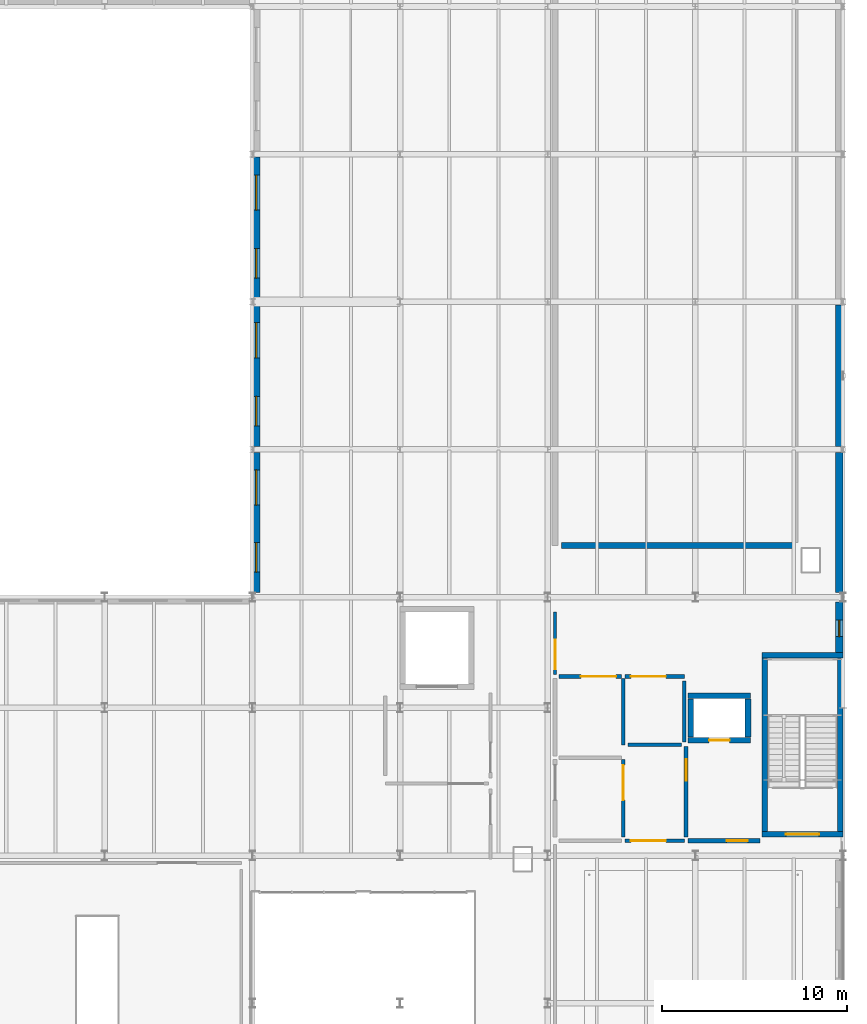
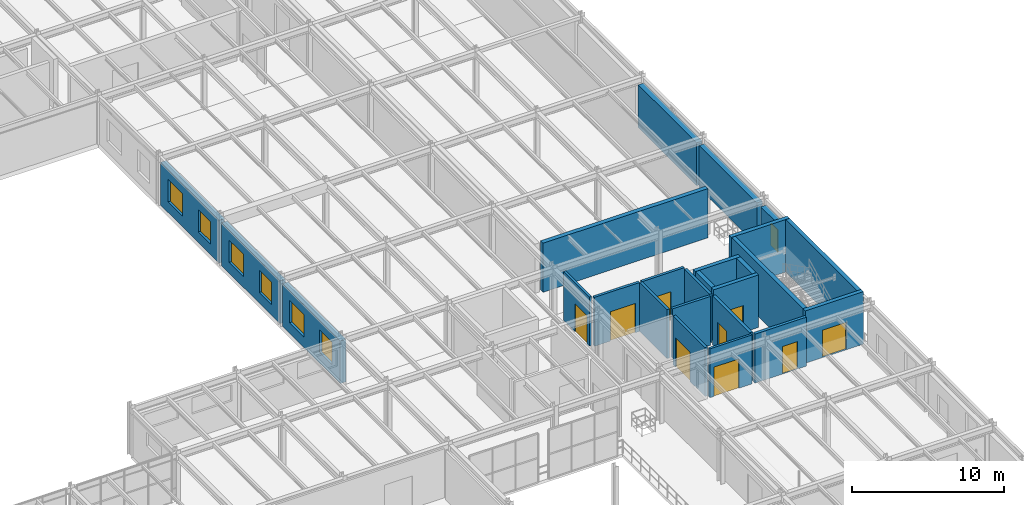
# One storey, part 90 of 122: 25 walls, 9 doors, 7 windows, 16 openings.
"""IFC4 building model written with IfcOpenShell, lengths in metres."""

from ifc_helpers import new_model, si_unit, direction, frame, frame_2d, origin, place, context, subcontext, project, spatial, rectangle, extrude, material, layer, layer_set, type_object, element, fill, save


model = new_model("IFC4")

# Units and contexts
model_context = context("Model", 3, precision=1e-05, world=origin(), true_north=direction((0.0, 1.0)))
body_context = subcontext(model_context, "Body", "Model", "MODEL_VIEW")
ifc_project = project(units=[si_unit("LENGTHUNIT", "METRE"), si_unit("AREAUNIT", "SQUARE_METRE"), si_unit("VOLUMEUNIT", "CUBIC_METRE"), si_unit("PLANEANGLEUNIT", "RADIAN"), si_unit("MASSUNIT", "GRAM", prefix="KILO")], contexts=[model_context])

# Site, building, storey
site_placement = place(None, origin())
site = spatial("IfcSite", under=ifc_project, at=site_placement, CompositionType="ELEMENT")
building_placement = place(site_placement, origin())
building = spatial("IfcBuilding", under=site, at=building_placement, Name="Sundkrona Museum", CompositionType="ELEMENT")
storey_placement = place(building_placement, frame((0.0, 0.0, 5.39990234375)))
storey = spatial("IfcBuildingStorey", under=building, at=storey_placement, Name="L01", CompositionType="ELEMENT", Elevation=5.39990234375)

# Wall
ifc_material_1 = material(Name="Concrete C40/50", Category="concrete")
ifc_layer_1 = layer(ifc_material_1, 0.330078125)
ifc_layer_set_1 = layer_set([ifc_layer_1], Name="Concrete C40/50")
wall_type_1 = type_object("IfcWallType", Name="W-ARC-120", PredefinedType="SOLIDWALL", material=ifc_layer_set_1)
wall_1_placement = place(storey_placement, frame((152.75, 48.800048828125, 0.0), z_axis=(0.0, 0.0, 1.0), x_axis=(1.0, 0.0, 0.0)))
element("IfcWall", 1, at=wall_1_placement, inside=storey, type_object=wall_type_1, Name="L01 Rare Book Collection Storage Enclosure Wall S", PredefinedType="SOLIDWALL", context=body_context, shape_type="SweptSolid", body=[
    extrude(rectangle(XDim=12.5, YDim=0.330078125, at=frame_2d((6.25, 0.0))), origin(), (0.0, 0.0, 1.0), 3.940185546875),
])

# Wall, opening, door
ifc_layer_2 = layer(ifc_material_1, 0.300048828125)
ifc_layer_set_2 = layer_set([ifc_layer_2], Name="Concrete C40/50")
wall_type_2 = type_object("IfcWallType", Name="W-CORE-300", PredefinedType="SHEAR", material=ifc_layer_set_2)
wall_2_placement = place(storey_placement, frame((163.60009765625, 33.14990234375, 0.0), z_axis=(0.0, 0.0, 1.0), x_axis=(1.0, 0.0, 0.0)))
wall_2 = element("IfcWall", 2, at=wall_2_placement, inside=storey, type_object=wall_type_2, Name="L01 ST-1 Core Shear Wall South", PredefinedType="SHEAR", context=body_context, shape_type="SweptSolid", body=[
    extrude(rectangle(XDim=4.39990234375, YDim=0.300048828125, at=frame_2d((2.199951171875, 0.0))), origin(), (0.0, 0.0, 1.0), 4.2001953125),
])
opening_1_placement = place(wall_2_placement, frame((1.300048828125, 0.0, 0.0)))
opening_1 = element("IfcOpeningElement", 3, at=opening_1_placement, cuts=wall_2, Name="Opening D-FD60", PredefinedType="OPENING", context=body_context, shape_type="SweptSolid", body=[
    extrude(rectangle(XDim=1.800048828125, YDim=2.199951171875, at=frame_2d((0.89990234375, 1.10009765625))), frame((0.0, 0.159912109375, 0.0), z_axis=(0.0, -1.0, 0.0), x_axis=(1.0, 0.0, 0.0)), (0.0, 0.0, 1.0), 0.320068359375),
])
ifc_material_2 = material(Name="Steel S355J2 Fire Door Leaf", Category="steel")
door_type_1 = type_object("IfcDoorType", Name="D-FD60", OperationType="DOUBLE_DOOR_SINGLE_SWING", PredefinedType="DOOR", material=ifc_material_2)
door_1_placement = place(opening_1_placement, origin())
door_1 = element("IfcDoor", 4, at=door_1_placement, inside=storey, type_object=door_type_1, Name="L01 ST-1 Protected Escape Stair Door DR-ST-1-L01", OperationType="DOUBLE_DOOR_SINGLE_SWING", OverallHeight=2.199951171875, OverallWidth=1.800048828125, PredefinedType="DOOR", context=body_context, shape_type="SweptSolid", body=[
    extrude(rectangle(XDim=1.800048828125, YDim=2.199951171875, at=frame_2d((0.89990234375, 1.10009765625))), frame((0.0, 0.02490234375, 0.0), z_axis=(0.0, -1.0, 0.0), x_axis=(1.0, 0.0, 0.0)), (0.0, 0.0, 1.0), 0.050048828125),
])
fill(opening_1, door_1)

# Walls
wall_3_placement = place(storey_placement, frame((163.60009765625, 42.85009765625, 0.0), z_axis=(0.0, 0.0, 1.0), x_axis=(1.0, 0.0, 0.0)))
element("IfcWall", 5, at=wall_3_placement, inside=storey, type_object=wall_type_2, Name="L01 ST-1 Core Shear Wall North", PredefinedType="SHEAR", context=body_context, shape_type="SweptSolid", body=[
    extrude(rectangle(XDim=4.39990234375, YDim=0.300048828125, at=frame_2d((2.199951171875, 0.0))), origin(), (0.0, 0.0, 1.0), 4.2001953125),
])
for number, where, z_axis, x_axis, name in (
    (6, (163.75, 33.31005859375, 0.0), (0.0, 0.0, 1.0), (0.0, 1.0, 0.0), "L01 ST-1 Core Shear Wall West"),
    (7, (167.85009765625, 33.31005859375, 0.0), (0.0, 0.0, 1.0), (0.0, 1.0, 0.0), "L01 ST-1 Core Shear Wall East"),
):
    element("IfcWall", number, at=place(storey_placement, frame(where, z_axis=z_axis, x_axis=x_axis)), inside=storey, type_object=wall_type_2, Name=name, PredefinedType="SHEAR", context=body_context, shape_type="SweptSolid", body=[
        extrude(rectangle(XDim=9.3798828125, YDim=0.300048828125, at=frame_2d((4.68994140625, 0.0))), origin(), (0.0, 0.0, 1.0), 4.2001953125),
    ])

# Wall, opening, door
wall_4_placement = place(storey_placement, frame((159.60009765625, 38.25, 0.0), z_axis=(0.0, 0.0, 1.0), x_axis=(1.0, 0.0, 0.0)))
wall_4 = element("IfcWall", 8, at=wall_4_placement, inside=storey, type_object=wall_type_2, Name="L01 PL-1 Lift Shaft Wall South", PredefinedType="SHEAR", context=body_context, shape_type="SweptSolid", body=[
    extrude(rectangle(XDim=3.39990234375, YDim=0.300048828125, at=frame_2d((1.699951171875, 0.0))), origin(), (0.0, 0.0, 1.0), 4.2001953125),
])
opening_2_placement = place(wall_4_placement, frame((1.14990234375, 0.0, 0.0)))
opening_2 = element("IfcOpeningElement", 9, at=opening_2_placement, cuts=wall_4, Name="Opening LD-01", PredefinedType="OPENING", context=body_context, shape_type="SweptSolid", body=[
    extrude(rectangle(XDim=1.10009765625, YDim=2.14990234375, at=frame_2d((0.550048828125, 1.074951171875))), frame((0.0, 0.159912109375, 0.0), z_axis=(0.0, -1.0, 0.0), x_axis=(1.0, 0.0, 0.0)), (0.0, 0.0, 1.0), 0.320068359375),
])
ifc_material_3 = material(Name="Brushed Stainless Steel Lift Door", Category="steel")
door_type_2 = type_object("IfcDoorType", Name="LD-01", OperationType="SLIDING_TO_LEFT", PredefinedType="DOOR", material=ifc_material_3)
door_2_placement = place(opening_2_placement, origin())
door_2 = element("IfcDoor", 10, at=door_2_placement, inside=storey, type_object=door_type_2, Name="L01 Firefighters Passenger Lift PL-1 Landing Door DR-LIFT-PL-1-L01", OperationType="SLIDING_TO_LEFT", OverallHeight=2.14990234375, OverallWidth=1.10009765625, PredefinedType="DOOR", context=body_context, shape_type="SweptSolid", body=[
    extrude(rectangle(XDim=1.10009765625, YDim=2.14990234375, at=frame_2d((0.550048828125, 1.074951171875))), frame((0.0, 0.02490234375, 0.0), z_axis=(0.0, -1.0, 0.0), x_axis=(1.0, 0.0, 0.0)), (0.0, 0.0, 1.0), 0.050048828125),
])
fill(opening_2, door_2)

# Walls
wall_5_placement = place(storey_placement, frame((159.60009765625, 40.64990234375, 0.0), z_axis=(0.0, 0.0, 1.0), x_axis=(1.0, 0.0, 0.0)))
element("IfcWall", 11, at=wall_5_placement, inside=storey, type_object=wall_type_2, Name="L01 PL-1 Lift Shaft Wall North", PredefinedType="SHEAR", context=body_context, shape_type="SweptSolid", body=[
    extrude(rectangle(XDim=3.39990234375, YDim=0.300048828125, at=frame_2d((1.699951171875, 0.0))), origin(), (0.0, 0.0, 1.0), 4.2001953125),
])
for number, where, z_axis, x_axis, name in (
    (12, (159.75, 38.409912109375, 0.0), (0.0, 0.0, 1.0), (0.0, 1.0, 0.0), "L01 PL-1 Lift Shaft Wall West"),
    (13, (162.85009765625, 38.409912109375, 0.0), (0.0, 0.0, 1.0), (0.0, 1.0, 0.0), "L01 PL-1 Lift Shaft Wall East"),
):
    element("IfcWall", number, at=place(storey_placement, frame(where, z_axis=z_axis, x_axis=x_axis)), inside=storey, type_object=wall_type_2, Name=name, PredefinedType="SHEAR", context=body_context, shape_type="SweptSolid", body=[
        extrude(rectangle(XDim=2.080078125, YDim=0.300048828125, at=frame_2d((1.0400390625, 0.0))), origin(), (0.0, 0.0, 1.0), 4.2001953125),
    ])

# Wall, opening, window
ifc_material_4 = material(Name="Scanian Polychrome Clay Brickwork 420 mm", Category="masonry")
ifc_layer_3 = layer(ifc_material_4, 0.419921875)
ifc_layer_set_3 = layer_set([ifc_layer_3], Name="Scanian Polychrome Clay Brickwork 420 mm")
wall_type_3 = type_object("IfcWallType", Name="W-EX-420", PredefinedType="SOLIDWALL", material=ifc_layer_set_3)
wall_6_placement = place(storey_placement, frame((167.7900390625, 45.748046875, 0.0), z_axis=(0.0, 0.0, 1.0), x_axis=(0.0, -1.0, 0.0)))
wall_6 = element("IfcWall", 14, at=wall_6_placement, inside=storey, type_object=wall_type_3, Name="L01 Facade Wall 0021", PredefinedType="SOLIDWALL", context=body_context, shape_type="SweptSolid", body=[
    extrude(rectangle(XDim=2.887939453125, YDim=0.419921875, at=frame_2d((1.44384765625, 0.0))), origin(), (0.0, 0.0, 1.0), 3.4150390625),
])
opening_3_placement = place(wall_6_placement, frame((0.993896484375, 0.0, 0.85009765625)))
opening_3 = element("IfcOpeningElement", 15, at=opening_3_placement, cuts=wall_6, Name="Opening WN-ST-090x180", PredefinedType="OPENING", context=body_context, shape_type="SweptSolid", body=[
    extrude(rectangle(XDim=0.89990234375, YDim=1.800048828125, at=frame_2d((0.449951171875, 0.89990234375))), frame((0.0, 0.219970703125, 0.0), z_axis=(0.0, -1.0, 0.0), x_axis=(1.0, 0.0, 0.0)), (0.0, 0.0, 1.0), 0.43994140625),
])
ifc_material_5 = material(Name="Triple Low-E Argon Glazing in Bronze-Anodised Aluminium", Category="aluminium")
window_type_1 = type_object("IfcWindowType", Name="WN-ST-090x180", PartitioningType="SINGLE_PANEL", PredefinedType="WINDOW", material=ifc_material_5)
window_1_placement = place(opening_3_placement, origin())
window_1 = element("IfcWindow", 16, at=window_1_placement, inside=storey, type_object=window_type_1, Name="L01 Stair-core avenue daylight slot window 900x1800 WIN-L01-0025", OverallHeight=1.800048828125, OverallWidth=0.89990234375, PartitioningType="SINGLE_PANEL", PredefinedType="WINDOW", context=body_context, shape_type="SweptSolid", body=[
    extrude(rectangle(XDim=0.89990234375, YDim=1.800048828125, at=frame_2d((0.449951171875, 0.89990234375))), frame((0.0, 0.030029296875, 0.0), z_axis=(0.0, -1.0, 0.0), x_axis=(1.0, 0.0, 0.0)), (0.0, 0.0, 1.0), 0.06005859375),
])
fill(opening_3, window_1)

# Wall, openings, windows
wall_7_placement = place(storey_placement, frame((136.2099609375, 46.251953125, 0.0), z_axis=(0.0, 0.0, 1.0), x_axis=(0.0, 1.0, 0.0)))
wall_7 = element("IfcWall", 17, at=wall_7_placement, inside=storey, type_object=wall_type_3, Name="L01 Facade Wall 0287", PredefinedType="SOLIDWALL", context=body_context, shape_type="SweptSolid", body=[
    extrude(rectangle(XDim=7.5859375, YDim=0.419921875, at=frame_2d((3.79296875, 0.0))), origin(), (0.0, 0.0, 1.0), 3.4150390625),
])
opening_4_placement = place(wall_7_placement, frame((1.096435546875, 0.0, 0.85009765625)))
opening_4 = element("IfcOpeningElement", 18, at=opening_4_placement, cuts=wall_7, Name="Opening WN-LB-160x180", PredefinedType="OPENING", context=body_context, shape_type="SweptSolid", body=[
    extrude(rectangle(XDim=1.60009765625, YDim=1.800048828125, at=frame_2d((0.800048828125, 0.89990234375))), frame((0.0, 0.219970703125, 0.0), z_axis=(0.0, -1.0, 0.0), x_axis=(1.0, 0.0, 0.0)), (0.0, 0.0, 1.0), 0.43994140625),
])
opening_5_placement = place(wall_7_placement, frame((4.739501953125, 0.0, 0.85009765625)))
opening_5 = element("IfcOpeningElement", 19, at=opening_5_placement, cuts=wall_7, Name="Opening WN-LB-190x180", PredefinedType="OPENING", context=body_context, shape_type="SweptSolid", body=[
    extrude(rectangle(XDim=1.89990234375, YDim=1.800048828125, at=frame_2d((0.949951171875, 0.89990234375))), frame((0.0, 0.219970703125, 0.0), z_axis=(0.0, -1.0, 0.0), x_axis=(1.0, 0.0, 0.0)), (0.0, 0.0, 1.0), 0.43994140625),
])
window_type_2 = type_object("IfcWindowType", Name="WN-LB-160x180", PartitioningType="DOUBLE_PANEL_VERTICAL", PredefinedType="WINDOW", material=ifc_material_5)
window_2_placement = place(opening_4_placement, origin())
window_2 = element("IfcWindow", 20, at=window_2_placement, inside=storey, type_object=window_type_2, Name="L01 Conservation laboratory deep-reveal window 1600x1800 WIN-L01-0388", OverallHeight=1.800048828125, OverallWidth=1.60009765625, PartitioningType="DOUBLE_PANEL_VERTICAL", PredefinedType="WINDOW", context=body_context, shape_type="SweptSolid", body=[
    extrude(rectangle(XDim=1.60009765625, YDim=1.800048828125, at=frame_2d((0.800048828125, 0.89990234375))), frame((0.0, 0.030029296875, 0.0), z_axis=(0.0, -1.0, 0.0), x_axis=(1.0, 0.0, 0.0)), (0.0, 0.0, 1.0), 0.06005859375),
])
fill(opening_4, window_2)
window_type_3 = type_object("IfcWindowType", Name="WN-LB-190x180", PartitioningType="DOUBLE_PANEL_VERTICAL", PredefinedType="WINDOW", material=ifc_material_5)
window_3_placement = place(opening_5_placement, origin())
window_3 = element("IfcWindow", 21, at=window_3_placement, inside=storey, type_object=window_type_3, Name="L01 Analytical studio bench-height window 1900x1800 WIN-L01-0389", OverallHeight=1.800048828125, OverallWidth=1.89990234375, PartitioningType="DOUBLE_PANEL_VERTICAL", PredefinedType="WINDOW", context=body_context, shape_type="SweptSolid", body=[
    extrude(rectangle(XDim=1.89990234375, YDim=1.800048828125, at=frame_2d((0.949951171875, 0.89990234375))), frame((0.0, 0.030029296875, 0.0), z_axis=(0.0, -1.0, 0.0), x_axis=(1.0, 0.0, 0.0)), (0.0, 0.0, 1.0), 0.06005859375),
])
fill(opening_5, window_3)

wall_8_placement = place(storey_placement, frame((136.2099609375, 54.162109375, 0.0), z_axis=(0.0, 0.0, 1.0), x_axis=(0.0, 1.0, 0.0)))
wall_8 = element("IfcWall", 22, at=wall_8_placement, inside=storey, type_object=wall_type_3, Name="L01 Facade Wall 0288", PredefinedType="SOLIDWALL", context=body_context, shape_type="SweptSolid", body=[
    extrude(rectangle(XDim=7.67578125, YDim=0.419921875, at=frame_2d((3.837890625, 0.0))), origin(), (0.0, 0.0, 1.0), 3.43505859375),
])
opening_6_placement = place(wall_8_placement, frame((1.118896484375, 0.0, 0.85009765625)))
opening_6 = element("IfcOpeningElement", 23, at=opening_6_placement, cuts=wall_8, Name="Opening WN-LB-160x180", PredefinedType="OPENING", context=body_context, shape_type="SweptSolid", body=[
    extrude(rectangle(XDim=1.60009765625, YDim=1.800048828125, at=frame_2d((0.800048828125, 0.89990234375))), frame((0.0, 0.219970703125, 0.0), z_axis=(0.0, -1.0, 0.0), x_axis=(1.0, 0.0, 0.0)), (0.0, 0.0, 1.0), 0.43994140625),
])
opening_7_placement = place(wall_8_placement, frame((4.806884765625, 0.0, 0.85009765625)))
opening_7 = element("IfcOpeningElement", 24, at=opening_7_placement, cuts=wall_8, Name="Opening WN-LB-190x180", PredefinedType="OPENING", context=body_context, shape_type="SweptSolid", body=[
    extrude(rectangle(XDim=1.89990234375, YDim=1.800048828125, at=frame_2d((0.949951171875, 0.89990234375))), frame((0.0, 0.219970703125, 0.0), z_axis=(0.0, -1.0, 0.0), x_axis=(1.0, 0.0, 0.0)), (0.0, 0.0, 1.0), 0.43994140625),
])
window_4_placement = place(opening_6_placement, origin())
window_4 = element("IfcWindow", 25, at=window_4_placement, inside=storey, type_object=window_type_2, Name="L01 Conservation laboratory deep-reveal window 1600x1800 WIN-L01-0390", OverallHeight=1.800048828125, OverallWidth=1.60009765625, PartitioningType="DOUBLE_PANEL_VERTICAL", PredefinedType="WINDOW", context=body_context, shape_type="SweptSolid", body=[
    extrude(rectangle(XDim=1.60009765625, YDim=1.800048828125, at=frame_2d((0.800048828125, 0.89990234375))), frame((0.0, 0.030029296875, 0.0), z_axis=(0.0, -1.0, 0.0), x_axis=(1.0, 0.0, 0.0)), (0.0, 0.0, 1.0), 0.06005859375),
])
fill(opening_6, window_4)
window_5_placement = place(opening_7_placement, origin())
window_5 = element("IfcWindow", 26, at=window_5_placement, inside=storey, type_object=window_type_3, Name="L01 Analytical studio bench-height window 1900x1800 WIN-L01-0391", OverallHeight=1.800048828125, OverallWidth=1.89990234375, PartitioningType="DOUBLE_PANEL_VERTICAL", PredefinedType="WINDOW", context=body_context, shape_type="SweptSolid", body=[
    extrude(rectangle(XDim=1.89990234375, YDim=1.800048828125, at=frame_2d((0.949951171875, 0.89990234375))), frame((0.0, 0.030029296875, 0.0), z_axis=(0.0, -1.0, 0.0), x_axis=(1.0, 0.0, 0.0)), (0.0, 0.0, 1.0), 0.06005859375),
])
fill(opening_7, window_5)

wall_9_placement = place(storey_placement, frame((136.2099609375, 62.162109375, 0.0), z_axis=(0.0, 0.0, 1.0), x_axis=(0.0, 1.0, 0.0)))
wall_9 = element("IfcWall", 27, at=wall_9_placement, inside=storey, type_object=wall_type_3, Name="L01 Facade Wall 0289", PredefinedType="SOLIDWALL", context=body_context, shape_type="SweptSolid", body=[
    extrude(rectangle(XDim=7.67578125, YDim=0.419921875, at=frame_2d((3.837890625, 0.0))), origin(), (0.0, 0.0, 1.0), 3.43505859375),
])
opening_8_placement = place(wall_9_placement, frame((1.118896484375, 0.0, 0.85009765625)))
opening_8 = element("IfcOpeningElement", 28, at=opening_8_placement, cuts=wall_9, Name="Opening WN-LB-160x180", PredefinedType="OPENING", context=body_context, shape_type="SweptSolid", body=[
    extrude(rectangle(XDim=1.60009765625, YDim=1.800048828125, at=frame_2d((0.800048828125, 0.89990234375))), frame((0.0, 0.219970703125, 0.0), z_axis=(0.0, -1.0, 0.0), x_axis=(1.0, 0.0, 0.0)), (0.0, 0.0, 1.0), 0.43994140625),
])
opening_9_placement = place(wall_9_placement, frame((4.806884765625, 0.0, 0.85009765625)))
opening_9 = element("IfcOpeningElement", 29, at=opening_9_placement, cuts=wall_9, Name="Opening WN-LB-190x180", PredefinedType="OPENING", context=body_context, shape_type="SweptSolid", body=[
    extrude(rectangle(XDim=1.89990234375, YDim=1.800048828125, at=frame_2d((0.949951171875, 0.89990234375))), frame((0.0, 0.219970703125, 0.0), z_axis=(0.0, -1.0, 0.0), x_axis=(1.0, 0.0, 0.0)), (0.0, 0.0, 1.0), 0.43994140625),
])
window_6_placement = place(opening_8_placement, origin())
window_6 = element("IfcWindow", 30, at=window_6_placement, inside=storey, type_object=window_type_2, Name="L01 Conservation laboratory deep-reveal window 1600x1800 WIN-L01-0392", OverallHeight=1.800048828125, OverallWidth=1.60009765625, PartitioningType="DOUBLE_PANEL_VERTICAL", PredefinedType="WINDOW", context=body_context, shape_type="SweptSolid", body=[
    extrude(rectangle(XDim=1.60009765625, YDim=1.800048828125, at=frame_2d((0.800048828125, 0.89990234375))), frame((0.0, 0.030029296875, 0.0), z_axis=(0.0, -1.0, 0.0), x_axis=(1.0, 0.0, 0.0)), (0.0, 0.0, 1.0), 0.06005859375),
])
fill(opening_8, window_6)
window_7_placement = place(opening_9_placement, origin())
window_7 = element("IfcWindow", 31, at=window_7_placement, inside=storey, type_object=window_type_3, Name="L01 Analytical studio bench-height window 1900x1800 WIN-L01-0393", OverallHeight=1.800048828125, OverallWidth=1.89990234375, PartitioningType="DOUBLE_PANEL_VERTICAL", PredefinedType="WINDOW", context=body_context, shape_type="SweptSolid", body=[
    extrude(rectangle(XDim=1.89990234375, YDim=1.800048828125, at=frame_2d((0.949951171875, 0.89990234375))), frame((0.0, 0.030029296875, 0.0), z_axis=(0.0, -1.0, 0.0), x_axis=(1.0, 0.0, 0.0)), (0.0, 0.0, 1.0), 0.06005859375),
])
fill(opening_9, window_7)

# Walls
wall_10_placement = place(storey_placement, frame((167.7900390625, 53.837890625, 0.0), z_axis=(0.0, 0.0, 1.0), x_axis=(0.0, -1.0, 0.0)))
element("IfcWall", 32, at=wall_10_placement, inside=storey, type_object=wall_type_3, Name="L01 Facade Wall 0331", PredefinedType="SOLIDWALL", context=body_context, shape_type="SweptSolid", body=[
    extrude(rectangle(XDim=7.5859375, YDim=0.419921875, at=frame_2d((3.79296875, 0.0))), origin(), (0.0, 0.0, 1.0), 3.4150390625),
])
wall_11_placement = place(storey_placement, frame((167.7900390625, 61.837890625, 0.0), z_axis=(0.0, 0.0, 1.0), x_axis=(0.0, -1.0, 0.0)))
element("IfcWall", 33, at=wall_11_placement, inside=storey, type_object=wall_type_3, Name="L01 Facade Wall 0332", PredefinedType="SOLIDWALL", context=body_context, shape_type="SweptSolid", body=[
    extrude(rectangle(XDim=7.67578125, YDim=0.419921875, at=frame_2d((3.837890625, 0.0))), origin(), (0.0, 0.0, 1.0), 3.43505859375),
])

# Wall, opening, door
ifc_material_6 = material(Name="Autoclaved Aerated Masonry 225 mm", Category="masonry")
ifc_layer_4 = layer(ifc_material_6, 0.22509765625)
ifc_layer_set_4 = layer_set([ifc_layer_4], Name="Autoclaved Aerated Masonry 225 mm")
wall_type_4 = type_object("IfcWallType", Name="W-FF-225", PredefinedType="SOLIDWALL", material=ifc_layer_set_4)
wall_12_placement = place(storey_placement, frame((159.5, 33.0, 0.0), z_axis=(0.0, 0.0, 1.0), x_axis=(0.0, 1.0, 0.0)))
wall_12 = element("IfcWall", 34, at=wall_12_placement, inside=storey, type_object=wall_type_4, Name="L01 Partition Firefighting Lobby / Core 1 Level 01 Link", PredefinedType="SOLIDWALL", context=body_context, shape_type="SweptSolid", body=[
    extrude(rectangle(XDim=4.89990234375, YDim=0.22509765625, at=frame_2d((2.449951171875, 0.0))), origin(), (0.0, 0.0, 1.0), 3.920166015625),
])
opening_10_placement = place(wall_12_placement, frame((3.05615234375, 0.0, 0.0)))
opening_10 = element("IfcOpeningElement", 35, at=opening_10_placement, cuts=wall_12, Name="Opening D-FF60", PredefinedType="OPENING", context=body_context, shape_type="SweptSolid", body=[
    extrude(rectangle(XDim=1.14990234375, YDim=2.199951171875, at=frame_2d((0.574951171875, 1.10009765625))), frame((0.0, 0.12255859375, 0.0), z_axis=(0.0, -1.0, 0.0), x_axis=(1.0, 0.0, 0.0)), (0.0, 0.0, 1.0), 0.2451171875),
])
door_type_3 = type_object("IfcDoorType", Name="D-FF60", OperationType="NOTDEFINED", PredefinedType="DOOR", material=ifc_material_2)
door_3_placement = place(opening_10_placement, origin())
door_3 = element("IfcDoor", 36, at=door_3_placement, inside=storey, type_object=door_type_3, Name="L01 Interior Door DR-ADJ-L01-0072", OperationType="SINGLE_SWING_RIGHT", OverallHeight=2.199951171875, OverallWidth=1.14990234375, PredefinedType="DOOR", context=body_context, shape_type="SweptSolid", body=[
    extrude(rectangle(XDim=1.14990234375, YDim=2.199951171875, at=frame_2d((0.574951171875, 1.10009765625))), frame((0.0, 0.02490234375, 0.0), z_axis=(0.0, -1.0, 0.0), x_axis=(1.0, 0.0, 0.0)), (0.0, 0.0, 1.0), 0.050048828125),
])
fill(opening_10, door_3)

wall_13_placement = place(storey_placement, frame((159.60009765625, 32.800048828125, 0.0), z_axis=(0.0, 0.0, 1.0), x_axis=(1.0, 0.0, 0.0)))
wall_13 = element("IfcWall", 37, at=wall_13_placement, inside=storey, type_object=wall_type_4, Name="L01 Partition Firefighting Lobby / Amber and Fossil Mezzanine Gallery", PredefinedType="SOLIDWALL", context=body_context, shape_type="SweptSolid", body=[
    extrude(rectangle(XDim=3.89990234375, YDim=0.22509765625, at=frame_2d((1.949951171875, 0.0))), origin(), (0.0, 0.0, 1.0), 3.920166015625),
])
opening_11_placement = place(wall_13_placement, frame((2.091796875, 0.0, 0.0)))
opening_11 = element("IfcOpeningElement", 38, at=opening_11_placement, cuts=wall_13, Name="Opening D-FF60", PredefinedType="OPENING", context=body_context, shape_type="SweptSolid", body=[
    extrude(rectangle(XDim=1.14990234375, YDim=2.199951171875, at=frame_2d((0.574951171875, 1.10009765625))), frame((0.0, 0.12255859375, 0.0), z_axis=(0.0, -1.0, 0.0), x_axis=(1.0, 0.0, 0.0)), (0.0, 0.0, 1.0), 0.2451171875),
])
door_4_placement = place(opening_11_placement, origin())
door_4 = element("IfcDoor", 39, at=door_4_placement, inside=storey, type_object=door_type_3, Name="L01 Interior Door DR-ADJ-L01-0073", OperationType="SINGLE_SWING_LEFT", OverallHeight=2.199951171875, OverallWidth=1.14990234375, PredefinedType="DOOR", context=body_context, shape_type="SweptSolid", body=[
    extrude(rectangle(XDim=1.14990234375, YDim=2.199951171875, at=frame_2d((0.574951171875, 1.10009765625))), frame((0.0, 0.02490234375, 0.0), z_axis=(0.0, -1.0, 0.0), x_axis=(1.0, 0.0, 0.0)), (0.0, 0.0, 1.0), 0.050048828125),
])
fill(opening_11, door_4)

ifc_material_7 = material(Name="Fire-rated Gypsum Partition Board 175 mm", Category="other")
ifc_layer_5 = layer(ifc_material_7, 0.175048828125)
ifc_layer_set_5 = layer_set([ifc_layer_5], Name="Fire-rated Gypsum Partition Board 175 mm")
wall_type_5 = type_object("IfcWallType", Name="W-PT-175", PredefinedType="PARTITIONING", material=ifc_layer_set_5)
wall_14_placement = place(storey_placement, frame((152.39990234375, 41.800048828125, 0.0), z_axis=(0.0, 0.0, 1.0), x_axis=(0.0, 1.0, 0.0)))
wall_14 = element("IfcWall", 40, at=wall_14_placement, inside=storey, type_object=wall_type_5, Name="L01 Partition Sanitary WC Lobby / East Hall Spine", PredefinedType="PARTITIONING", context=body_context, shape_type="SweptSolid", body=[
    extrude(rectangle(XDim=3.39990234375, YDim=0.175048828125, at=frame_2d((1.699951171875, 0.0))), origin(), (0.0, 0.0, 1.0), 3.920166015625),
])
opening_12_placement = place(wall_14_placement, frame((0.300048828125, 0.0, 0.0)))
opening_12 = element("IfcOpeningElement", 41, at=opening_12_placement, cuts=wall_14, Name="Opening D-CMP-160", PredefinedType="OPENING", context=body_context, shape_type="SweptSolid", body=[
    extrude(rectangle(XDim=1.60009765625, YDim=2.25, at=frame_2d((0.800048828125, 1.125))), frame((0.0, 0.097412109375, 0.0), z_axis=(0.0, -1.0, 0.0), x_axis=(1.0, 0.0, 0.0)), (0.0, 0.0, 1.0), 0.195068359375),
])
ifc_material_8 = material(Name="Glazed Steel Fire Screen Door", Category="steel")
door_type_4 = type_object("IfcDoorType", Name="D-CMP-160", OperationType="DOUBLE_DOOR_SINGLE_SWING", PredefinedType="DOOR", material=ifc_material_8)
door_5_placement = place(opening_12_placement, origin())
door_5 = element("IfcDoor", 42, at=door_5_placement, inside=storey, type_object=door_type_4, Name="L01 Interior Door DR-ADJ-L01-0078", OperationType="DOUBLE_DOOR_SINGLE_SWING", OverallHeight=2.25, OverallWidth=1.60009765625, PredefinedType="DOOR", context=body_context, shape_type="SweptSolid", body=[
    extrude(rectangle(XDim=1.60009765625, YDim=2.25, at=frame_2d((0.800048828125, 1.125))), frame((0.0, 0.02490234375, 0.0), z_axis=(0.0, -1.0, 0.0), x_axis=(1.0, 0.0, 0.0)), (0.0, 0.0, 1.0), 0.050048828125),
])
fill(opening_12, door_5)

wall_15_placement = place(storey_placement, frame((156.199951171875, 32.800048828125, 0.0), z_axis=(0.0, 0.0, 1.0), x_axis=(1.0, 0.0, 0.0)))
wall_15 = element("IfcWall", 43, at=wall_15_placement, inside=storey, type_object=wall_type_5, Name="L01 Partition Core 1 Level 01 Link / Amber and Fossil Mezzanine Gallery", PredefinedType="PARTITIONING", context=body_context, shape_type="SweptSolid", body=[
    extrude(rectangle(XDim=3.199951171875, YDim=0.175048828125, at=frame_2d((1.60009765625, 0.0))), origin(), (0.0, 0.0, 1.0), 3.920166015625),
])
opening_13_placement = place(wall_15_placement, frame((0.300048828125, 0.0, 0.0)))
opening_13 = element("IfcOpeningElement", 44, at=opening_13_placement, cuts=wall_15, Name="Opening D-AUD-190", PredefinedType="OPENING", context=body_context, shape_type="SweptSolid", body=[
    extrude(rectangle(XDim=1.89990234375, YDim=2.35009765625, at=frame_2d((0.949951171875, 1.175048828125))), frame((0.0, 0.097412109375, 0.0), z_axis=(0.0, -1.0, 0.0), x_axis=(1.0, 0.0, 0.0)), (0.0, 0.0, 1.0), 0.195068359375),
])
ifc_material_9 = material(Name="Acoustic Oak Fire Door", Category="other")
door_type_5 = type_object("IfcDoorType", Name="D-AUD-190", OperationType="DOUBLE_DOOR_SINGLE_SWING", PredefinedType="DOOR", material=ifc_material_9)
door_6_placement = place(opening_13_placement, origin())
door_6 = element("IfcDoor", 45, at=door_6_placement, inside=storey, type_object=door_type_5, Name="L01 Interior Door DR-ADJ-L01-0095", OperationType="DOUBLE_DOOR_SINGLE_SWING", OverallHeight=2.35009765625, OverallWidth=1.89990234375, PredefinedType="DOOR", context=body_context, shape_type="SweptSolid", body=[
    extrude(rectangle(XDim=1.89990234375, YDim=2.35009765625, at=frame_2d((0.949951171875, 1.175048828125))), frame((0.0, 0.02490234375, 0.0), z_axis=(0.0, -1.0, 0.0), x_axis=(1.0, 0.0, 0.0)), (0.0, 0.0, 1.0), 0.050048828125),
])
fill(opening_13, door_6)

ifc_material_10 = material(Name="Moisture-resistant Tile Partition 200 mm", Category="other")
ifc_layer_6 = layer(ifc_material_10, 0.199951171875)
ifc_layer_set_6 = layer_set([ifc_layer_6], Name="Moisture-resistant Tile Partition 200 mm")
wall_type_6 = type_object("IfcWallType", Name="W-PT-200", PredefinedType="PARTITIONING", material=ifc_layer_set_6)
wall_16_placement = place(storey_placement, frame((152.60009765625, 41.699951171875, 0.0), z_axis=(0.0, 0.0, 1.0), x_axis=(1.0, 0.0, 0.0)))
wall_16 = element("IfcWall", 46, at=wall_16_placement, inside=storey, type_object=wall_type_6, Name="L01 Partition Sanitary WC Lobby / Female Toilet", PredefinedType="PARTITIONING", context=body_context, shape_type="SweptSolid", body=[
    extrude(rectangle(XDim=3.39990234375, YDim=0.199951171875, at=frame_2d((1.699951171875, 0.0))), origin(), (0.0, 0.0, 1.0), 3.920166015625),
])
opening_14_placement = place(wall_16_placement, frame((1.199951171875, 0.0, 0.0)))
opening_14 = element("IfcOpeningElement", 47, at=opening_14_placement, cuts=wall_16, Name="Opening D-AUD-190", PredefinedType="OPENING", context=body_context, shape_type="SweptSolid", body=[
    extrude(rectangle(XDim=1.89990234375, YDim=2.35009765625, at=frame_2d((0.949951171875, 1.175048828125))), frame((0.0, 0.10986328125, 0.0), z_axis=(0.0, -1.0, 0.0), x_axis=(1.0, 0.0, 0.0)), (0.0, 0.0, 1.0), 0.219970703125),
])
door_7_placement = place(opening_14_placement, origin())
door_7 = element("IfcDoor", 48, at=door_7_placement, inside=storey, type_object=door_type_5, Name="L01 Interior Door DR-ADJ-L01-0076", OperationType="DOUBLE_DOOR_SINGLE_SWING", OverallHeight=2.35009765625, OverallWidth=1.89990234375, PredefinedType="DOOR", context=body_context, shape_type="SweptSolid", body=[
    extrude(rectangle(XDim=1.89990234375, YDim=2.35009765625, at=frame_2d((0.949951171875, 1.175048828125))), frame((0.0, 0.02490234375, 0.0), z_axis=(0.0, -1.0, 0.0), x_axis=(1.0, 0.0, 0.0)), (0.0, 0.0, 1.0), 0.050048828125),
])
fill(opening_14, door_7)

wall_17_placement = place(storey_placement, frame((156.199951171875, 41.699951171875, 0.0), z_axis=(0.0, 0.0, 1.0), x_axis=(1.0, 0.0, 0.0)))
wall_17 = element("IfcWall", 49, at=wall_17_placement, inside=storey, type_object=wall_type_6, Name="L01 Partition Sanitary WC Lobby / Accessible WC", PredefinedType="PARTITIONING", context=body_context, shape_type="SweptSolid", body=[
    extrude(rectangle(XDim=3.199951171875, YDim=0.199951171875, at=frame_2d((1.60009765625, 0.0))), origin(), (0.0, 0.0, 1.0), 3.920166015625),
])
opening_15_placement = place(wall_17_placement, frame((0.300048828125, 0.0, 0.0)))
opening_15 = element("IfcOpeningElement", 50, at=opening_15_placement, cuts=wall_17, Name="Opening D-AUD-190", PredefinedType="OPENING", context=body_context, shape_type="SweptSolid", body=[
    extrude(rectangle(XDim=1.89990234375, YDim=2.35009765625, at=frame_2d((0.949951171875, 1.175048828125))), frame((0.0, 0.10986328125, 0.0), z_axis=(0.0, -1.0, 0.0), x_axis=(1.0, 0.0, 0.0)), (0.0, 0.0, 1.0), 0.219970703125),
])
door_8_placement = place(opening_15_placement, origin())
door_8 = element("IfcDoor", 51, at=door_8_placement, inside=storey, type_object=door_type_5, Name="L01 Interior Door DR-ADJ-L01-0077", OperationType="DOUBLE_DOOR_SINGLE_SWING", OverallHeight=2.35009765625, OverallWidth=1.89990234375, PredefinedType="DOOR", context=body_context, shape_type="SweptSolid", body=[
    extrude(rectangle(XDim=1.89990234375, YDim=2.35009765625, at=frame_2d((0.949951171875, 1.175048828125))), frame((0.0, 0.02490234375, 0.0), z_axis=(0.0, -1.0, 0.0), x_axis=(1.0, 0.0, 0.0)), (0.0, 0.0, 1.0), 0.050048828125),
])
fill(opening_15, door_8)

wall_18_placement = place(storey_placement, frame((156.10009765625, 33.0, 0.0), z_axis=(0.0, 0.0, 1.0), x_axis=(0.0, 1.0, 0.0)))
wall_18 = element("IfcWall", 52, at=wall_18_placement, inside=storey, type_object=wall_type_6, Name="L01 Partition Male Toilet / Core 1 Level 01 Link", PredefinedType="PARTITIONING", context=body_context, shape_type="SweptSolid", body=[
    extrude(rectangle(XDim=4.199951171875, YDim=0.199951171875, at=frame_2d((2.10009765625, 0.0))), origin(), (0.0, 0.0, 1.0), 3.920166015625),
])
opening_16_placement = place(wall_18_placement, frame((2.0, 0.0, 0.0)))
opening_16 = element("IfcOpeningElement", 53, at=opening_16_placement, cuts=wall_18, Name="Opening D-AUD-190", PredefinedType="OPENING", context=body_context, shape_type="SweptSolid", body=[
    extrude(rectangle(XDim=1.89990234375, YDim=2.35009765625, at=frame_2d((0.949951171875, 1.175048828125))), frame((0.0, 0.10986328125, 0.0), z_axis=(0.0, -1.0, 0.0), x_axis=(1.0, 0.0, 0.0)), (0.0, 0.0, 1.0), 0.219970703125),
])
door_9_placement = place(opening_16_placement, origin())
door_9 = element("IfcDoor", 54, at=door_9_placement, inside=storey, type_object=door_type_5, Name="L01 Interior Door DR-ADJ-L01-0080", OperationType="DOUBLE_DOOR_SINGLE_SWING", OverallHeight=2.35009765625, OverallWidth=1.89990234375, PredefinedType="DOOR", context=body_context, shape_type="SweptSolid", body=[
    extrude(rectangle(XDim=1.89990234375, YDim=2.35009765625, at=frame_2d((0.949951171875, 1.175048828125))), frame((0.0, 0.02490234375, 0.0), z_axis=(0.0, -1.0, 0.0), x_axis=(1.0, 0.0, 0.0)), (0.0, 0.0, 1.0), 0.050048828125),
])
fill(opening_16, door_9)

# Walls
wall_19_placement = place(storey_placement, frame((156.10009765625, 38.0, 0.0), z_axis=(0.0, 0.0, 1.0), x_axis=(0.0, 1.0, 0.0)))
element("IfcWall", 55, at=wall_19_placement, inside=storey, type_object=wall_type_6, Name="L01 Partition Female Toilet / Accessible WC", PredefinedType="PARTITIONING", context=body_context, shape_type="SweptSolid", body=[
    extrude(rectangle(XDim=3.60009765625, YDim=0.199951171875, at=frame_2d((1.800048828125, 0.0))), origin(), (0.0, 0.0, 1.0), 3.920166015625),
])
wall_20_placement = place(storey_placement, frame((156.35009765625, 38.0, 0.0), z_axis=(0.0, 0.0, 1.0), x_axis=(1.0, 0.0, 0.0)))
element("IfcWall", 56, at=wall_20_placement, inside=storey, type_object=wall_type_6, Name="L01 Accessible WC Enclosure Wall S", PredefinedType="PARTITIONING", context=body_context, shape_type="SweptSolid", body=[
    extrude(rectangle(XDim=2.89990234375, YDim=0.199951171875, at=frame_2d((1.449951171875, 0.0))), origin(), (0.0, 0.0, 1.0), 3.920166015625),
])
wall_21_placement = place(storey_placement, frame((159.39990234375, 38.14990234375, 0.0), z_axis=(0.0, 0.0, 1.0), x_axis=(0.0, 1.0, 0.0)))
element("IfcWall", 57, at=wall_21_placement, inside=storey, type_object=wall_type_6, Name="L01 Accessible WC Enclosure Wall E", PredefinedType="PARTITIONING", context=body_context, shape_type="SweptSolid", body=[
    extrude(rectangle(XDim=3.300048828125, YDim=0.199951171875, at=frame_2d((1.64990234375, 0.0))), origin(), (0.0, 0.0, 1.0), 3.920166015625),
])

save(model, "model.ifc")
